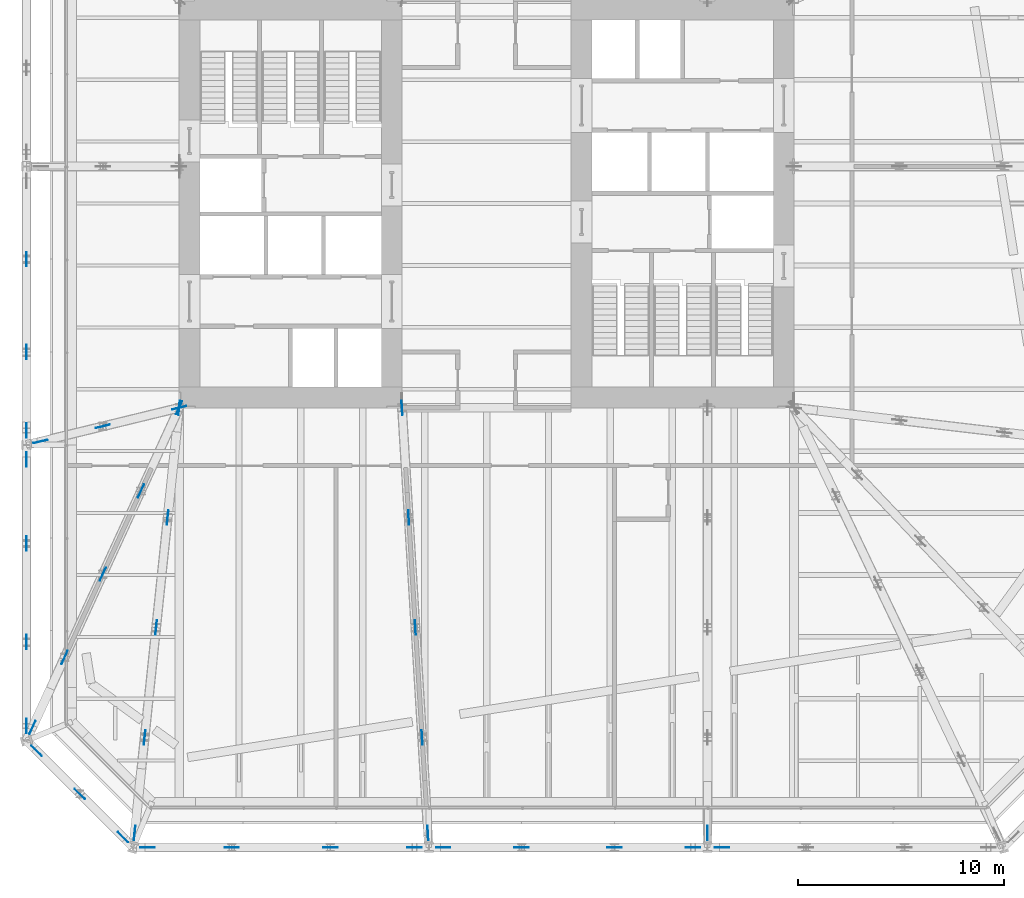
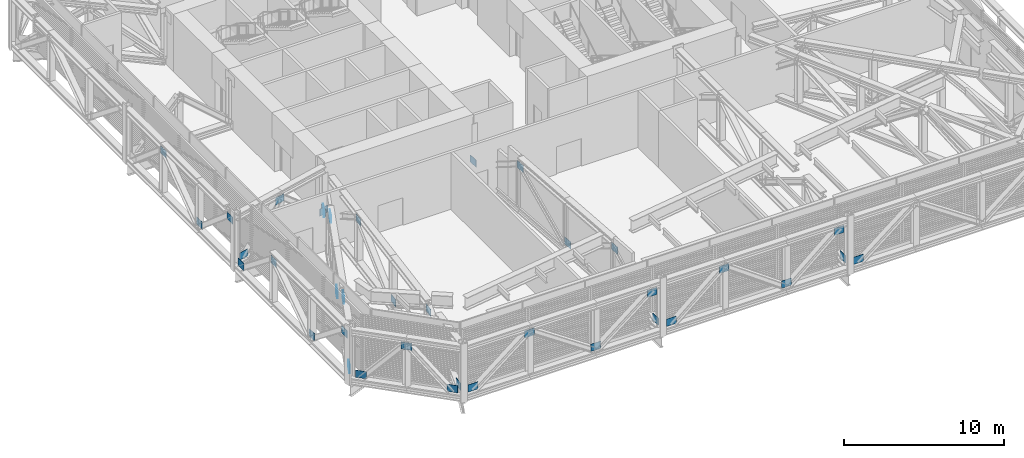
# One storey, part 27 of 31: 38 discrete accessories.
"""IFC4 building model written with IfcOpenShell, lengths in metres."""

from ifc_helpers import new_model, si_unit, direction, frame, origin, origin_2d, place, context, subcontext, project, spatial, rectangle, extrude, material, layer, layer_set, type_object, element, save


model = new_model("IFC4")

# Units and contexts
model_context = context("Model", 3, precision=1e-05, world=origin(), true_north=direction((0.0, 1.0)))
body_context = subcontext(model_context, "Body", "Model", "MODEL_VIEW")
ifc_project = project(units=[si_unit("LENGTHUNIT", "METRE"), si_unit("AREAUNIT", "SQUARE_METRE"), si_unit("VOLUMEUNIT", "CUBIC_METRE"), si_unit("PLANEANGLEUNIT", "RADIAN"), si_unit("MASSUNIT", "GRAM", prefix="KILO")], contexts=[model_context])

# Site, building, storey
site_placement = place(None, origin())
site = spatial("IfcSite", under=ifc_project, at=site_placement, CompositionType="ELEMENT")
building_placement = place(site_placement, origin())
building = spatial("IfcBuilding", under=site, at=building_placement, Name="Millrace Tower", CompositionType="ELEMENT")
storey_placement = place(building_placement, frame((0.0, 0.0, 120.39990234375)))
storey = spatial("IfcBuildingStorey", under=building, at=storey_placement, Name="L26", CompositionType="ELEMENT", Elevation=120.39990234375)

# Discrete accessories
ifc_material = material(Name="Steel ASTM A572 Grade 50", Category="steel")
ifc_layer = layer(ifc_material, 0.02490234375)
ifc_layer_set = layer_set([ifc_layer], Name="Steel ASTM A572 Grade 50")
discrete_accessory_type = type_object("IfcDiscreteAccessoryType", Name="Truss gusset plate 700x550x25", PredefinedType="BRACKET", material=ifc_layer_set)
for number, where, z_axis, x_axis, name in (
    (1, (-22.052490234375, -26.27587890625, 0.77294921875), (0.706932380706, -0.707281138664, 0.0), (0.707281138664, 0.706932380706, 0.0), "Truss gusset plate BLT-L26-R01-D01 foot"),
    (2, (-19.961669921875, -28.36669921875, 3.46728515625), (0.706932380706, -0.707281138664, 0.0), (0.707281138664, 0.706932380706, 0.0), "Truss gusset plate BLT-L26-R01-D01 head"),
    (3, (-17.870849609375, -30.45751953125, 0.77294921875), (0.707106781187, -0.707106781187, 0.0), (0.707106781187, 0.707106781187, 0.0), "Truss gusset plate BLT-L26-R01-D02 foot"),
    (4, (-16.7783203125, -31.199951171875, 0.77294921875), (1.0, 0.0, 0.0), (0.0, 1.0, 0.0), "Truss gusset plate BLT-L26-R02-D01 foot"),
):
    element("IfcDiscreteAccessory", number, at=place(storey_placement, frame(where, z_axis=z_axis, x_axis=x_axis)), inside=storey, type_object=discrete_accessory_type, Name=name, PredefinedType="BRACKET", context=body_context, shape_type="SweptSolid", body=[
        extrude(rectangle(XDim=0.02490234375, YDim=0.550048828125, at=origin_2d()), origin(), (0.0, 0.0, 1.0), 0.699951171875),
    ])
discrete_accessory_1_placement = place(storey_placement, frame((-12.702392578125, -31.199951171875, 3.46728515625), z_axis=(1.0, 0.0, 0.0), x_axis=(0.0, 1.0, 0.0)))
element("IfcDiscreteAccessory", 5, at=discrete_accessory_1_placement, inside=storey, type_object=discrete_accessory_type, Name="Truss gusset plate BLT-L26-R02-D01 head", PredefinedType="BRACKET", context=body_context, shape_type="SweptSolid", body=[
    extrude(rectangle(XDim=0.02490234375, YDim=0.550048828125, at=origin_2d()), origin(), (0.0, 0.0, 1.0), 0.7001953125),
])
discrete_accessory_2_placement = place(storey_placement, frame((-7.926025390625, -31.199951171875, 0.77294921875), z_axis=(1.0, 0.0, 0.0), x_axis=(0.0, 1.0, 0.0)))
element("IfcDiscreteAccessory", 6, at=discrete_accessory_2_placement, inside=storey, type_object=discrete_accessory_type, Name="Truss gusset plate BLT-L26-R02-D02 foot", PredefinedType="BRACKET", context=body_context, shape_type="SweptSolid", body=[
    extrude(rectangle(XDim=0.02490234375, YDim=0.550048828125, at=origin_2d()), origin(), (0.0, 0.0, 1.0), 0.699951171875),
])
discrete_accessory_3_placement = place(storey_placement, frame((-3.85009765625, -31.199951171875, 3.46728515625), z_axis=(1.0, 0.0, 0.0), x_axis=(0.0, 1.0, 0.0)))
element("IfcDiscreteAccessory", 7, at=discrete_accessory_3_placement, inside=storey, type_object=discrete_accessory_type, Name="Truss gusset plate BLT-L26-R02-D03 head", PredefinedType="BRACKET", context=body_context, shape_type="SweptSolid", body=[
    extrude(rectangle(XDim=0.02490234375, YDim=0.550048828125, at=origin_2d()), origin(), (0.0, 0.0, 1.0), 0.7001953125),
])
for number, where, z_axis, x_axis, name in (
    (8, (-2.449951171875, -31.199951171875, 0.77294921875), (1.0, 0.0, 0.0), (0.0, 1.0, 0.0), "Truss gusset plate BLT-L26-R03-D01 foot"),
    (9, (1.35009765625, -31.199951171875, 3.46728515625), (1.0, 0.0, 0.0), (0.0, 1.0, 0.0), "Truss gusset plate BLT-L26-R03-D01 head"),
    (10, (5.85009765625, -31.199951171875, 0.77294921875), (1.0, 0.0, 0.0), (0.0, 1.0, 0.0), "Truss gusset plate BLT-L26-R03-D02 foot"),
):
    element("IfcDiscreteAccessory", number, at=place(storey_placement, frame(where, z_axis=z_axis, x_axis=x_axis)), inside=storey, type_object=discrete_accessory_type, Name=name, PredefinedType="BRACKET", context=body_context, shape_type="SweptSolid", body=[
        extrude(rectangle(XDim=0.02490234375, YDim=0.550048828125, at=origin_2d()), origin(), (0.0, 0.0, 1.0), 0.699951171875),
    ])
discrete_accessory_4_placement = place(storey_placement, frame((9.64990234375, -31.199951171875, 3.46728515625), z_axis=(1.0, 0.0, 0.0), x_axis=(0.0, 1.0, 0.0)))
element("IfcDiscreteAccessory", 11, at=discrete_accessory_4_placement, inside=storey, type_object=discrete_accessory_type, Name="Truss gusset plate BLT-L26-R03-D03 head", PredefinedType="BRACKET", context=body_context, shape_type="SweptSolid", body=[
    extrude(rectangle(XDim=0.02490234375, YDim=0.550048828125, at=origin_2d()), origin(), (0.0, 0.0, 1.0), 0.7001953125),
])
for number, where, z_axis, x_axis, name in (
    (12, (11.050048828125, -31.199951171875, 0.77294921875), (1.0, 0.0, 0.0), (0.0, 1.0, 0.0), "Truss gusset plate BLT-L26-R04-D01 foot"),
    (13, (-22.300048828125, -3.050048828125, 3.46728515625), (0.0, 1.0, 0.0), (-1.0, 0.0, 0.0), "Truss gusset plate BLT-L26-R15-D01 head"),
    (14, (-22.300048828125, -7.550048828125, 0.77294921875), (0.0, 1.0, 0.0), (-1.0, 0.0, 0.0), "Truss gusset plate BLT-L26-R15-D02 foot"),
):
    element("IfcDiscreteAccessory", number, at=place(storey_placement, frame(where, z_axis=z_axis, x_axis=x_axis)), inside=storey, type_object=discrete_accessory_type, Name=name, PredefinedType="BRACKET", context=body_context, shape_type="SweptSolid", body=[
        extrude(rectangle(XDim=0.02490234375, YDim=0.550048828125, at=origin_2d()), origin(), (0.0, 0.0, 1.0), 0.699951171875),
    ])
discrete_accessory_5_placement = place(storey_placement, frame((-22.300048828125, -11.35009765625, 3.46728515625), z_axis=(0.0, 1.0, 0.0), x_axis=(-1.0, 0.0, 0.0)))
element("IfcDiscreteAccessory", 15, at=discrete_accessory_5_placement, inside=storey, type_object=discrete_accessory_type, Name="Truss gusset plate BLT-L26-R15-D03 head", PredefinedType="BRACKET", context=body_context, shape_type="SweptSolid", body=[
    extrude(rectangle(XDim=0.02490234375, YDim=0.550048828125, at=origin_2d()), origin(), (0.0, 0.0, 1.0), 0.7001953125),
])
for number, where, z_axis, x_axis, name in (
    (16, (-22.300048828125, -12.75, 0.77294921875), (0.0, 1.0, 0.0), (-1.0, 0.0, 0.0), "Truss gusset plate BLT-L26-R16-D01 foot"),
    (17, (-22.300048828125, -16.826171875, 3.46728515625), (0.0, 1.0, 0.0), (-1.0, 0.0, 0.0), "Truss gusset plate BLT-L26-R16-D01 head"),
    (18, (-22.300048828125, -21.602294921875, 0.77294921875), (0.0, 1.0, 0.0), (-1.0, 0.0, 0.0), "Truss gusset plate BLT-L26-R16-D02 foot"),
    (19, (-22.300048828125, -25.678466796875, 3.46728515625), (0.0, 1.0, 0.0), (-1.0, 0.0, 0.0), "Truss gusset plate BLT-L26-R16-D03 head"),
    (20, (-15.0458984375, -10.218017578125, 0.77294921875), (0.417110991669, 0.908855555426, 0.0), (-0.908855555426, 0.417110991669, 0.0), "Truss gusset plate BLT-L26-O01-D01 foot"),
    (21, (-16.89599609375, -14.250244140625, 3.46728515625), (0.417110991669, 0.908855555426, 0.0), (-0.908855555426, 0.417110991669, 0.0), "Truss gusset plate BLT-L26-O01-D01 head"),
    (22, (-18.74609375, -18.2822265625, 0.77294921875), (0.417110991669, 0.908855555426, 0.0), (-0.908855555426, 0.417110991669, 0.0), "Truss gusset plate BLT-L26-O01-D02 foot"),
    (23, (-20.595947265625, -22.314453125, 3.46728515625), (0.417110991669, 0.908855555426, 0.0), (-0.908855555426, 0.417110991669, 0.0), "Truss gusset plate BLT-L26-O01-D03 head"),
):
    element("IfcDiscreteAccessory", number, at=place(storey_placement, frame(where, z_axis=z_axis, x_axis=x_axis)), inside=storey, type_object=discrete_accessory_type, Name=name, PredefinedType="BRACKET", context=body_context, shape_type="SweptSolid", body=[
        extrude(rectangle(XDim=0.02490234375, YDim=0.550048828125, at=origin_2d()), origin(), (0.0, 0.0, 1.0), 0.699951171875),
    ])
discrete_accessory_6_placement = place(storey_placement, frame((-22.154052734375, -25.710205078125, 0.77294921875), z_axis=(0.417243239978, 0.908794849618, 0.0), x_axis=(-0.908794849618, 0.417243239978, 0.0)))
element("IfcDiscreteAccessory", 24, at=discrete_accessory_6_placement, inside=storey, type_object=discrete_accessory_type, Name="Truss gusset plate BLT-L26-O01-D04 foot", PredefinedType="BRACKET", context=body_context, shape_type="SweptSolid", body=[
    extrude(rectangle(XDim=0.02490234375, YDim=0.550048828125, at=origin_2d()), origin(), (0.0, 0.0, 1.0), 0.69970703125),
])
for number, where, z_axis, x_axis, name in (
    (25, (-14.936279296875, -10.248046875, 0.77294921875), (0.10395837647, 0.994581648715, 0.0), (-0.994581648715, 0.10395837647, 0.0), "Truss gusset plate BLT-L26-O02-D01 foot"),
    (26, (-15.493408203125, -15.572998046875, 3.46728515625), (0.10395837647, 0.994581648715, 0.0), (-0.994581648715, 0.10395837647, 0.0), "Truss gusset plate BLT-L26-O02-D01 head"),
):
    element("IfcDiscreteAccessory", number, at=place(storey_placement, frame(where, z_axis=z_axis, x_axis=x_axis)), inside=storey, type_object=discrete_accessory_type, Name=name, PredefinedType="BRACKET", context=body_context, shape_type="SweptSolid", body=[
        extrude(rectangle(XDim=0.02490234375, YDim=0.550048828125, at=origin_2d()), origin(), (0.0, 0.0, 1.0), 0.699951171875),
    ])
for number, where, z_axis, x_axis, name in (
    (27, (-16.050537109375, -20.898193359375, 0.77294921875), (0.103922319161, 0.994585416935, 0.0), (-0.994585416935, 0.103922319161, 0.0), "Truss gusset plate BLT-L26-O02-D02 foot"),
    (28, (-16.607666015625, -26.22314453125, 3.46728515625), (0.103922319161, 0.994585416935, 0.0), (-0.994585416935, 0.103922319161, 0.0), "Truss gusset plate BLT-L26-O02-D03 head"),
):
    element("IfcDiscreteAccessory", number, at=place(storey_placement, frame(where, z_axis=z_axis, x_axis=x_axis)), inside=storey, type_object=discrete_accessory_type, Name=name, PredefinedType="BRACKET", context=body_context, shape_type="SweptSolid", body=[
        extrude(rectangle(XDim=0.02490234375, YDim=0.550048828125, at=origin_2d()), origin(), (0.0, 0.0, 1.0), 0.7001953125),
    ])
discrete_accessory_7_placement = place(storey_placement, frame((-17.092041015625, -30.851806640625, 0.77294921875), z_axis=(0.10395837647, 0.994581648715, 0.0), x_axis=(-0.994581648715, 0.10395837647, 0.0)))
element("IfcDiscreteAccessory", 29, at=discrete_accessory_7_placement, inside=storey, type_object=discrete_accessory_type, Name="Truss gusset plate BLT-L26-O02-D04 foot", PredefinedType="BRACKET", context=body_context, shape_type="SweptSolid", body=[
    extrude(rectangle(XDim=0.02490234375, YDim=0.550048828125, at=origin_2d()), origin(), (0.0, 0.0, 1.0), 0.699951171875),
])
for number, where, z_axis, x_axis, name in (
    (30, (-4.121337890625, -9.55078125, 0.77294921875), (0.06105331653, -0.998134506237, 0.0), (0.998134506237, 0.06105331653, 0.0), "Truss gusset plate BLT-L26-O03-D01 foot"),
    (31, (-3.79638671875, -14.875732421875, 3.46728515625), (0.06105331653, -0.998134506237, 0.0), (0.998134506237, 0.06105331653, 0.0), "Truss gusset plate BLT-L26-O03-D01 head"),
):
    element("IfcDiscreteAccessory", number, at=place(storey_placement, frame(where, z_axis=z_axis, x_axis=x_axis)), inside=storey, type_object=discrete_accessory_type, Name=name, PredefinedType="BRACKET", context=body_context, shape_type="SweptSolid", body=[
        extrude(rectangle(XDim=0.02490234375, YDim=0.550048828125, at=origin_2d()), origin(), (0.0, 0.0, 1.0), 0.69970703125),
    ])
for number, where, z_axis, x_axis, name in (
    (32, (-3.47119140625, -20.20068359375, 0.77294921875), (0.060684596968, -0.998156991505, 0.0), (0.998156991505, 0.060684596968, 0.0), "Truss gusset plate BLT-L26-O03-D02 foot"),
    (33, (-3.146240234375, -25.525634765625, 3.46728515625), (0.060684596968, -0.998156991505, 0.0), (0.998156991505, 0.060684596968, 0.0), "Truss gusset plate BLT-L26-O03-D03 head"),
):
    element("IfcDiscreteAccessory", number, at=place(storey_placement, frame(where, z_axis=z_axis, x_axis=x_axis)), inside=storey, type_object=discrete_accessory_type, Name=name, PredefinedType="BRACKET", context=body_context, shape_type="SweptSolid", body=[
        extrude(rectangle(XDim=0.02490234375, YDim=0.550048828125, at=origin_2d()), origin(), (0.0, 0.0, 1.0), 0.699951171875),
    ])
discrete_accessory_8_placement = place(storey_placement, frame((-2.864013671875, -30.152099609375, 0.77294921875), z_axis=(0.06105331653, -0.998134506237, 0.0), x_axis=(0.998134506237, 0.06105331653, 0.0)))
element("IfcDiscreteAccessory", 34, at=discrete_accessory_8_placement, inside=storey, type_object=discrete_accessory_type, Name="Truss gusset plate BLT-L26-O03-D04 foot", PredefinedType="BRACKET", context=body_context, shape_type="SweptSolid", body=[
    extrude(rectangle(XDim=0.02490234375, YDim=0.550048828125, at=origin_2d()), origin(), (0.0, 0.0, 1.0), 0.69970703125),
])
discrete_accessory_9_placement = place(storey_placement, frame((10.699951171875, -30.85009765625, 0.77294921875), z_axis=(0.0, 1.0, 0.0), x_axis=(-1.0, 0.0, 0.0)))
element("IfcDiscreteAccessory", 35, at=discrete_accessory_9_placement, inside=storey, type_object=discrete_accessory_type, Name="Truss gusset plate BLT-L26-O04-D04 foot", PredefinedType="BRACKET", context=body_context, shape_type="SweptSolid", body=[
    extrude(rectangle(XDim=0.02490234375, YDim=0.550048828125, at=origin_2d()), origin(), (0.0, 0.0, 1.0), 0.7001953125),
])
for number, where, z_axis, x_axis, name in (
    (36, (-15.239990234375, -9.982666015625, 0.77294921875), (0.971721699869, 0.236129070643, 0.0), (-0.236129070643, 0.971721699869, 0.0), "Truss gusset plate BLT-L26-O16-D01 foot"),
    (37, (-18.940185546875, -10.8828125, 3.46728515625), (0.971641620786, 0.236458370026, 0.0), (-0.236458370026, 0.971641620786, 0.0), "Truss gusset plate BLT-L26-O16-D01 head"),
    (38, (-21.9599609375, -11.6171875, 0.77294921875), (0.971721699869, 0.236129070643, 0.0), (-0.236129070643, 0.971721699869, 0.0), "Truss gusset plate BLT-L26-O16-D02 foot"),
):
    element("IfcDiscreteAccessory", number, at=place(storey_placement, frame(where, z_axis=z_axis, x_axis=x_axis)), inside=storey, type_object=discrete_accessory_type, Name=name, PredefinedType="BRACKET", context=body_context, shape_type="SweptSolid", body=[
        extrude(rectangle(XDim=0.02490234375, YDim=0.550048828125, at=origin_2d()), origin(), (0.0, 0.0, 1.0), 0.699951171875),
    ])

save(model, "model.ifc")
